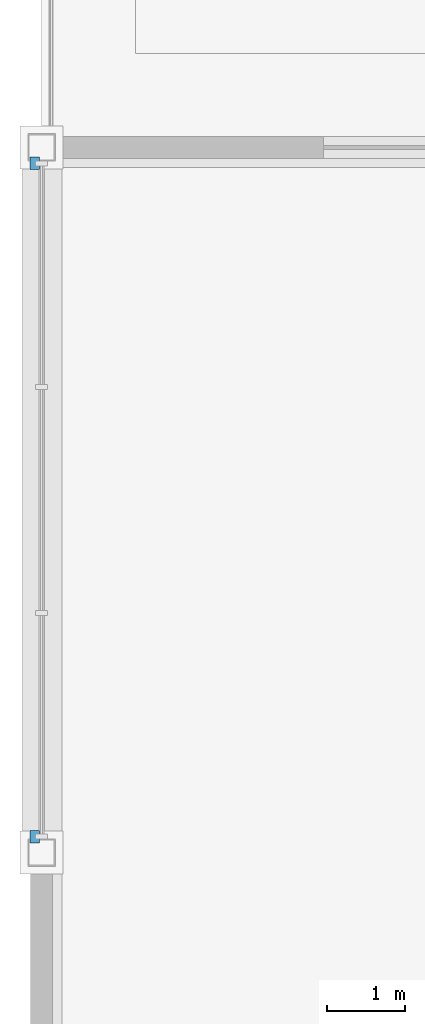
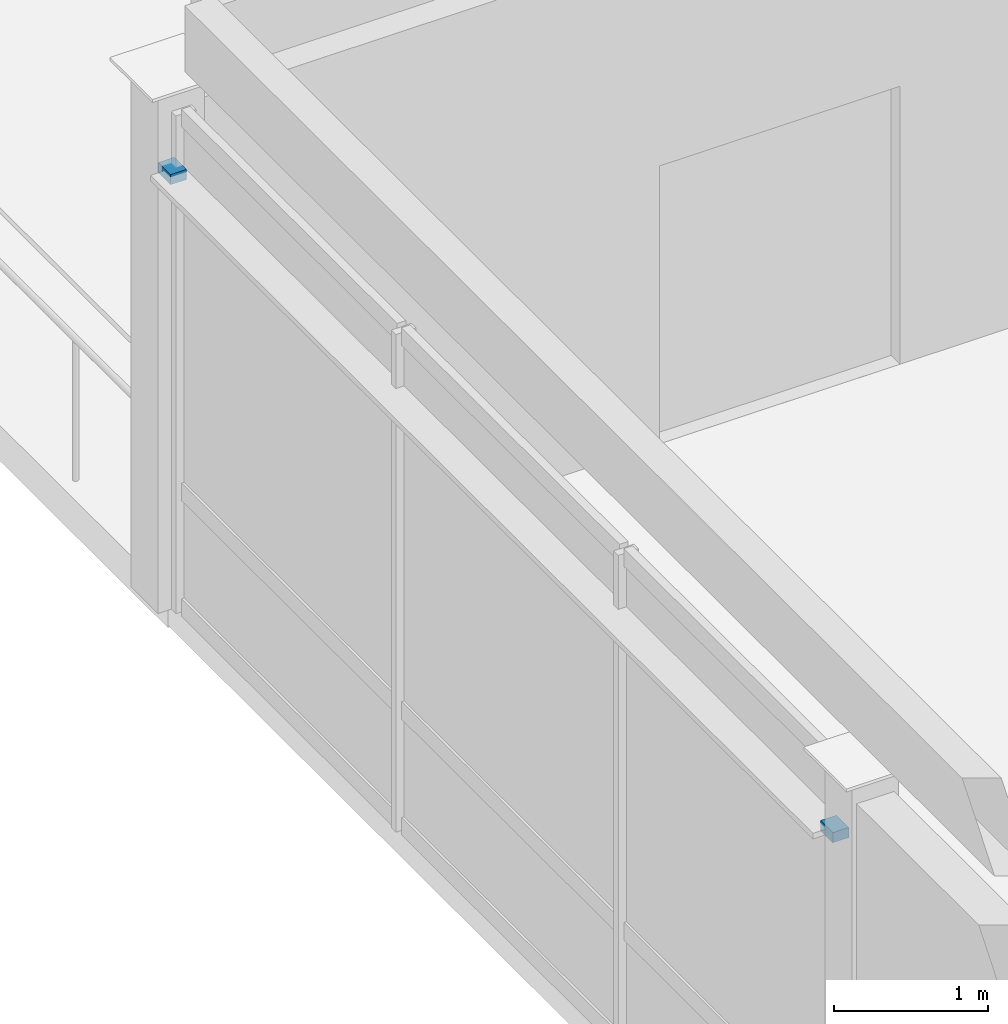
# One storey, part 12 of 14: 2 discrete accessories.
"""IFC4 building model written with IfcOpenShell, lengths in metres."""

from ifc_helpers import new_model, si_unit, direction, frame, origin, origin_2d, place, context, subcontext, project, spatial, rectangle, extrude, material, type_object, element, save


model = new_model("IFC4")

# Units and contexts
model_context = context("Model", 3, precision=1e-05, world=origin(), true_north=direction((0.0, 1.0)))
body_context = subcontext(model_context, "Body", "Model", "MODEL_VIEW")
ifc_project = project(units=[si_unit("LENGTHUNIT", "METRE"), si_unit("AREAUNIT", "SQUARE_METRE"), si_unit("VOLUMEUNIT", "CUBIC_METRE"), si_unit("PLANEANGLEUNIT", "RADIAN"), si_unit("MASSUNIT", "GRAM", prefix="KILO")], contexts=[model_context])

# Site, building, storey
site_placement = place(None, origin())
site = spatial("IfcSite", under=ifc_project, at=site_placement, CompositionType="ELEMENT")
building_placement = place(site_placement, origin())
building = spatial("IfcBuilding", under=site, at=building_placement, Name="Suzunagisa Mobility Hub", CompositionType="ELEMENT")
storey_placement = place(building_placement, frame((0.0, 0.0, 26.10009765625)))
storey = spatial("IfcBuildingStorey", under=building, at=storey_placement, Name="L06", CompositionType="ELEMENT", Elevation=26.10009765625)

# Discrete accessories
ifc_material = material(Name="Stainless Steel SUS316", Category="metal")
discrete_accessory_type = type_object("IfcDiscreteAccessoryType", Name="Stainless Sunshade Outrigger Bracket BRK-01", PredefinedType="BRACKET", material=ifc_material)
for number, where, z_axis, x_axis, name in (
    (1, (44.9150390625, 97.794921875, 3.449951171875), (0.0, 0.0, 1.0), (0.0, -1.0, 0.0), "Sunshade Outrigger Bracket BRK-30.1"),
    (2, (44.9150390625, 89.205078125, 3.449951171875), (0.0, 0.0, 1.0), (0.0, -1.0, 0.0), "Sunshade Outrigger Bracket BRK-30.2"),
):
    element("IfcDiscreteAccessory", number, at=place(storey_placement, frame(where, z_axis=z_axis, x_axis=x_axis)), inside=storey, type_object=discrete_accessory_type, Name=name, PredefinedType="BRACKET", context=body_context, shape_type="SweptSolid", body=[
        extrude(rectangle(XDim=0.159912109375, YDim=0.1201171875, at=origin_2d()), origin(), (0.0, 0.0, 1.0), 0.080078125),
    ])

save(model, "model.ifc")
